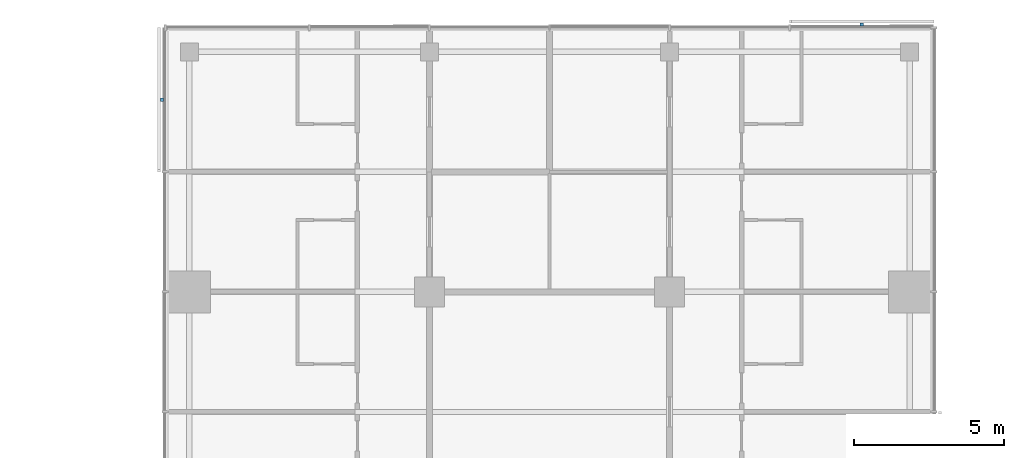
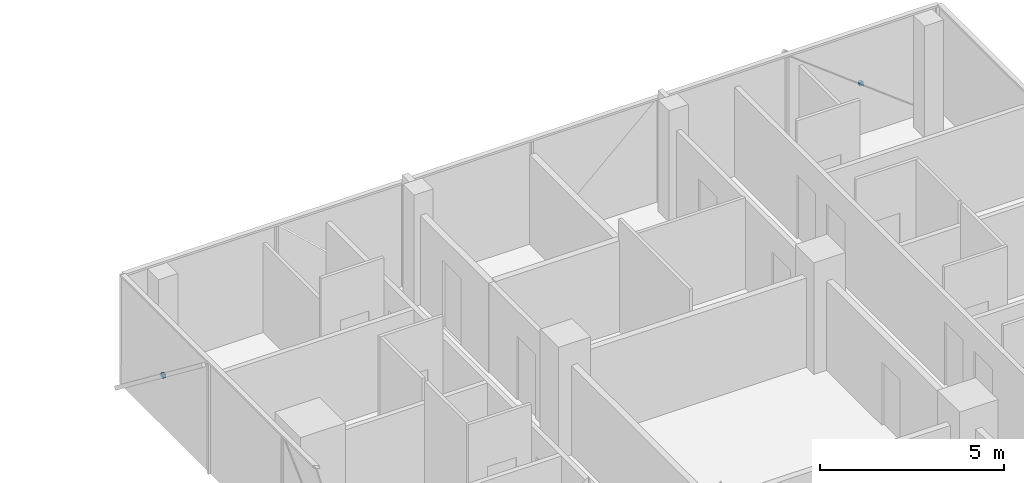
# One storey, part 28 of 29: 2 discrete accessories.
"""IFC4 building model written with IfcOpenShell, lengths in metres."""

from ifc_helpers import new_model, si_unit, direction, frame, origin, origin_2d, place, context, subcontext, project, spatial, rectangle, extrude, material, type_object, element, save


model = new_model("IFC4")

# Units and contexts
model_context = context("Model", 3, precision=1e-05, world=origin(), true_north=direction((0.0, 1.0)))
body_context = subcontext(model_context, "Body", "Model", "MODEL_VIEW")
ifc_project = project(units=[si_unit("LENGTHUNIT", "METRE"), si_unit("AREAUNIT", "SQUARE_METRE"), si_unit("VOLUMEUNIT", "CUBIC_METRE"), si_unit("PLANEANGLEUNIT", "RADIAN"), si_unit("MASSUNIT", "GRAM", prefix="KILO")], contexts=[model_context])

# Site, building, storey
site_placement = place(None, origin())
site = spatial("IfcSite", under=ifc_project, at=site_placement, CompositionType="ELEMENT")
building_placement = place(site_placement, origin())
building = spatial("IfcBuilding", under=site, at=building_placement, Name="Crosswind Convention Tower", CompositionType="ELEMENT")
storey_placement = place(building_placement, frame((0.0, 0.0, 53.5)))
storey = spatial("IfcBuildingStorey", under=building, at=storey_placement, Name="L07", CompositionType="ELEMENT", Elevation=53.5)

# Discrete accessories
ifc_material = material(Name="Stainless steel", Category="steel")
discrete_accessory_type = type_object("IfcDiscreteAccessoryType", Name="BAGUETTE BRACKET BK2", PredefinedType="BRACKET", material=ifc_material)
for number, where, z_axis, x_axis, name in (
    (1, (135.39990234375, 136.907958984375, 1.4775390625), (0.0, 0.0, 1.0), (-1.0, 0.0, 0.0), "BK2 baguette bracket"),
    (2, (112.092041015625, 134.39990234375, 1.4775390625), (0.0, 0.0, 1.0), (0.0, -1.0, 0.0), "BK2 baguette bracket"),
):
    element("IfcDiscreteAccessory", number, at=place(storey_placement, frame(where, z_axis=z_axis, x_axis=x_axis)), inside=storey, type_object=discrete_accessory_type, Name=name, PredefinedType="BRACKET", context=body_context, shape_type="SweptSolid", body=[
        extrude(rectangle(XDim=0.1201171875, YDim=0.10009765625, at=origin_2d()), origin(), (0.0, 0.0, 1.0), 0.1201171875),
    ])

save(model, "model.ifc")
